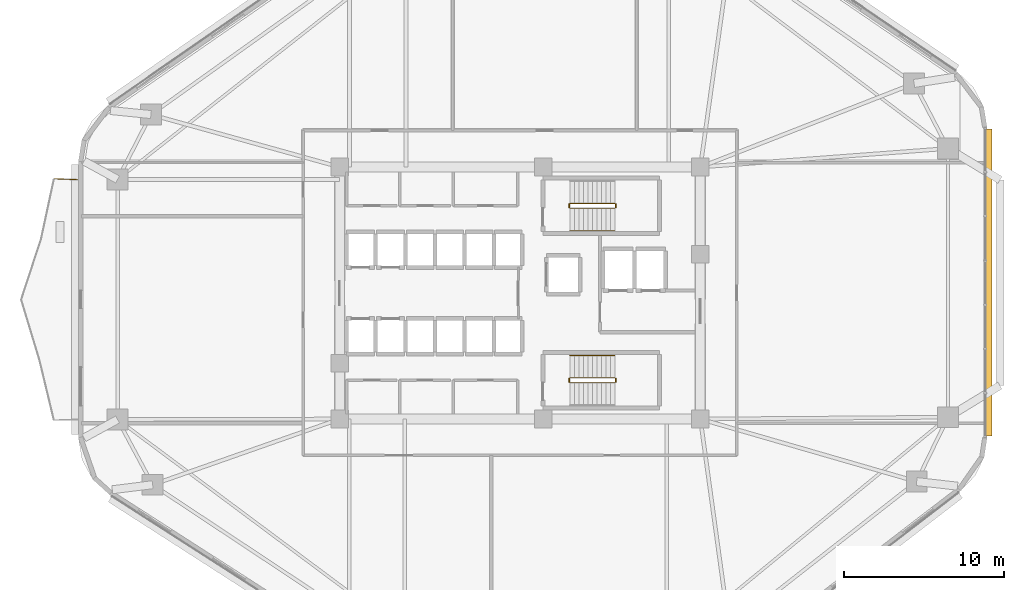
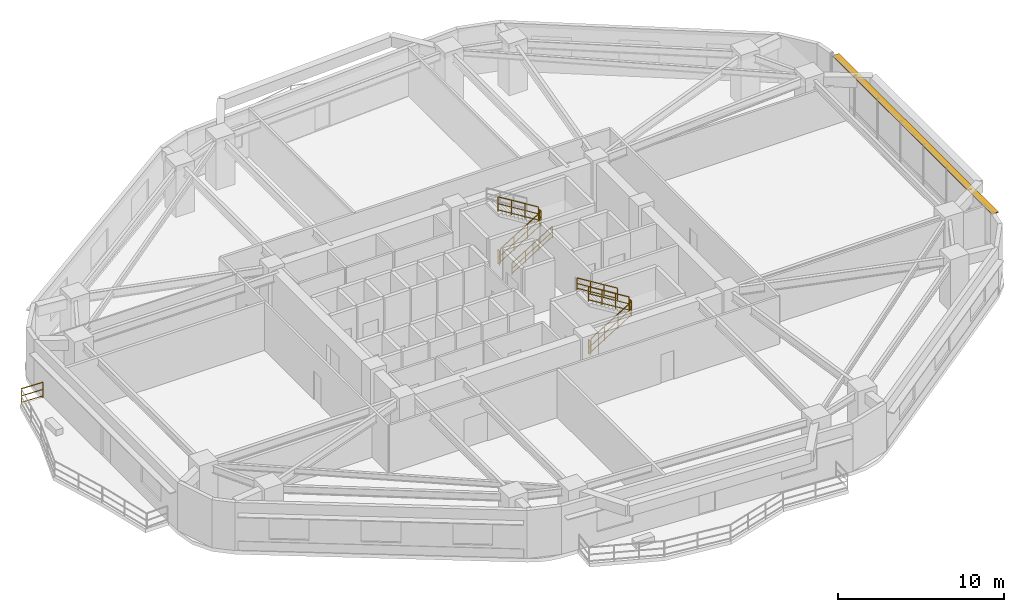
# One storey, part 13 of 14: 11 railings, 1 shading device.
"""IFC4 building model written with IfcOpenShell, lengths in metres."""

from ifc_helpers import new_model, si_unit, direction, frame, origin, origin_2d, place, context, subcontext, project, spatial, rectangle, extrude, material, layer, layer_set, type_object, element, save


model = new_model("IFC4")

# Units and contexts
model_context = context("Model", 3, precision=1e-05, world=origin(), true_north=direction((0.0, 1.0)))
body_context = subcontext(model_context, "Body", "Model", "MODEL_VIEW")
ifc_project = project(units=[si_unit("LENGTHUNIT", "METRE"), si_unit("AREAUNIT", "SQUARE_METRE"), si_unit("VOLUMEUNIT", "CUBIC_METRE"), si_unit("PLANEANGLEUNIT", "RADIAN"), si_unit("MASSUNIT", "GRAM", prefix="KILO")], contexts=[model_context])

# Site, building, storey
site_placement = place(None, origin())
site = spatial("IfcSite", under=ifc_project, at=site_placement, CompositionType="ELEMENT")
building_placement = place(site_placement, origin())
building = spatial("IfcBuilding", under=site, at=building_placement, Name="Zulverin Broadcast Headquarters", CompositionType="ELEMENT")
storey_placement = place(building_placement, frame((0.0, 0.0, 40.199951171875)))
storey = spatial("IfcBuildingStorey", under=building, at=storey_placement, Name="L09", CompositionType="ELEMENT", Elevation=40.199951171875)

# Railings
ifc_material_1 = material(Name="Brushed stainless steel & laminated glass balustrade", Category="steel")
railing_type_1 = type_object("IfcRailingType", Name="RL-GUARD-1150", PredefinedType="GUARDRAIL", material=ifc_material_1)
railing_1_placement = place(storey_placement, frame((9.360107421875, 32.284423828125, 0.0)))
element("IfcRailing", 1, at=railing_1_placement, inside=storey, type_object=railing_type_1, Name="L09 Vertical-Forest Balcony Guardrail BAL_W Segment 01", PredefinedType="GUARDRAIL", context=body_context, shape_type="SweptSolid", body=[
    extrude(rectangle(XDim=0.048095703125, YDim=0.048095703125, at=origin_2d()), frame((0.0, 0.0, 1.1259765625), z_axis=(-0.999181155166, 0.040460093435, 0.0), x_axis=(-0.040460093435, -0.999181155166, 0.0)), (0.0, 0.0, 1.0), 1.46630859375),
    extrude(rectangle(XDim=0.0419921875, YDim=0.0419921875, at=origin_2d()), frame((0.0, 0.0, 0.597900390625), z_axis=(-0.999181155166, 0.040460093435, 0.0), x_axis=(-0.040460093435, -0.999181155166, 0.0)), (0.0, 0.0, 1.0), 1.46630859375),
    extrude(rectangle(XDim=0.0419921875, YDim=0.0419921875, at=origin_2d()), frame((0.0, 0.0, 0.1201171875), z_axis=(-0.999181155166, 0.040460093435, 0.0), x_axis=(-0.040460093435, -0.999181155166, 0.0)), (0.0, 0.0, 1.0), 1.46630859375),
    extrude(rectangle(XDim=0.0419921875, YDim=0.0419921875, at=origin_2d()), origin(), (0.0, 0.0, 1.0), 1.101806640625),
    extrude(rectangle(XDim=0.0419921875, YDim=0.0419921875, at=origin_2d()), frame((-1.465087890625, 0.059326171875, 0.0)), (0.0, 0.0, 1.0), 1.101806640625),
])
ifc_material_2 = material(Name="Painted galvanized steel tubular guardrail S355JR", Category="steel")
railing_type_2 = type_object("IfcRailingType", Name="RL-ST-GUARD", PredefinedType="GUARDRAIL", material=ifc_material_2)
railing_2_placement = place(storey_placement, frame((40.1298828125, 30.5, 0.1728515625)))
element("IfcRailing", 2, at=railing_2_placement, inside=storey, type_object=railing_type_2, Name="L09 ST-1 stair guard 1", PredefinedType="GUARDRAIL", context=body_context, shape_type="SweptSolid", body=[
    extrude(rectangle(XDim=0.048095703125, YDim=0.048095703125, at=origin_2d()), frame((0.0, 0.0, 1.076171875), z_axis=(0.851089632645, 0.0, 0.525020415988), x_axis=(0.0, 1.0, 0.0)), (0.0, 0.0, 1.0), 3.2900390625),
    extrude(rectangle(XDim=0.0419921875, YDim=0.0419921875, at=origin_2d()), frame((0.0, 0.0, 0.572021484375), z_axis=(0.851089632645, 0.0, 0.525020415988), x_axis=(0.0, 1.0, 0.0)), (0.0, 0.0, 1.0), 3.2900390625),
    extrude(rectangle(XDim=0.0419921875, YDim=0.0419921875, at=origin_2d()), frame((0.0, 0.0, 0.1201171875), z_axis=(0.851089632645, 0.0, 0.525020415988), x_axis=(0.0, 1.0, 0.0)), (0.0, 0.0, 1.0), 3.2900390625),
    extrude(rectangle(XDim=0.0419921875, YDim=0.0419921875, at=origin_2d()), origin(), (0.0, 0.0, 1.0), 1.052001953125),
    extrude(rectangle(XDim=0.0419921875, YDim=0.0419921875, at=origin_2d()), frame((0.933349609375, 0.0, 0.57568359375)), (0.0, 0.0, 1.0), 1.052001953125),
    extrude(rectangle(XDim=0.0419921875, YDim=0.0419921875, at=origin_2d()), frame((1.86669921875, 0.0, 1.151611328125)), (0.0, 0.0, 1.0), 1.052001953125),
    extrude(rectangle(XDim=0.0419921875, YDim=0.0419921875, at=origin_2d()), frame((2.800048828125, 0.0, 1.727294921875)), (0.0, 0.0, 1.0), 1.052001953125),
])
railing_3_placement = place(storey_placement, frame((42.97998046875, 30.550048828125, 1.900146484375)))
element("IfcRailing", 3, at=railing_3_placement, inside=storey, type_object=railing_type_2, Name="L09 ST-1 stair guard 2", PredefinedType="GUARDRAIL", context=body_context, shape_type="SweptSolid", body=[
    extrude(rectangle(XDim=0.048095703125, YDim=0.048095703125, at=origin_2d()), frame((0.0, 0.0, 1.076171875), z_axis=(0.0, 1.0, 0.0), x_axis=(-1.0, 0.0, 0.0)), (0.0, 0.0, 1.0), 0.199951171875),
    extrude(rectangle(XDim=0.0419921875, YDim=0.0419921875, at=origin_2d()), frame((0.0, 0.0, 0.572021484375), z_axis=(0.0, 1.0, 0.0), x_axis=(-1.0, 0.0, 0.0)), (0.0, 0.0, 1.0), 0.199951171875),
    extrude(rectangle(XDim=0.0419921875, YDim=0.0419921875, at=origin_2d()), frame((0.0, 0.0, 0.1201171875), z_axis=(0.0, 1.0, 0.0), x_axis=(-1.0, 0.0, 0.0)), (0.0, 0.0, 1.0), 0.199951171875),
    extrude(rectangle(XDim=0.0419921875, YDim=0.0419921875, at=origin_2d()), origin(), (0.0, 0.0, 1.0), 1.052001953125),
    extrude(rectangle(XDim=0.0419921875, YDim=0.0419921875, at=origin_2d()), frame((0.0, 0.199951171875, 0.0)), (0.0, 0.0, 1.0), 1.052001953125),
])
railing_4_placement = place(storey_placement, frame((42.929931640625, 30.800048828125, 2.07275390625)))
element("IfcRailing", 4, at=railing_4_placement, inside=storey, type_object=railing_type_2, Name="L09 ST-1 stair guard 3", PredefinedType="GUARDRAIL", context=body_context, shape_type="SweptSolid", body=[
    extrude(rectangle(XDim=0.048095703125, YDim=0.048095703125, at=origin_2d()), frame((0.0, 0.0, 1.076171875), z_axis=(-0.851089632645, 0.0, 0.525020415988), x_axis=(0.0, -1.0, 0.0)), (0.0, 0.0, 1.0), 3.2900390625),
    extrude(rectangle(XDim=0.0419921875, YDim=0.0419921875, at=origin_2d()), frame((0.0, 0.0, 0.572021484375), z_axis=(-0.851089632645, 0.0, 0.525020415988), x_axis=(0.0, -1.0, 0.0)), (0.0, 0.0, 1.0), 3.2900390625),
    extrude(rectangle(XDim=0.0419921875, YDim=0.0419921875, at=origin_2d()), frame((0.0, 0.0, 0.1201171875), z_axis=(-0.851089632645, 0.0, 0.525020415988), x_axis=(0.0, -1.0, 0.0)), (0.0, 0.0, 1.0), 3.2900390625),
    extrude(rectangle(XDim=0.0419921875, YDim=0.0419921875, at=origin_2d()), origin(), (0.0, 0.0, 1.0), 1.052001953125),
    extrude(rectangle(XDim=0.0419921875, YDim=0.0419921875, at=origin_2d()), frame((-0.933349609375, 0.0, 0.57568359375)), (0.0, 0.0, 1.0), 1.052001953125),
    extrude(rectangle(XDim=0.0419921875, YDim=0.0419921875, at=origin_2d()), frame((-1.86669921875, 0.0, 1.151611328125)), (0.0, 0.0, 1.0), 1.052001953125),
    extrude(rectangle(XDim=0.0419921875, YDim=0.0419921875, at=origin_2d()), frame((-2.800048828125, 0.0, 1.727294921875)), (0.0, 0.0, 1.0), 1.052001953125),
])
railing_5_placement = place(storey_placement, frame((40.080078125, 30.550048828125, 0.0)))
element("IfcRailing", 5, at=railing_5_placement, inside=storey, type_object=railing_type_2, Name="L09 ST-1 stair guard 4", PredefinedType="GUARDRAIL", context=body_context, shape_type="SweptSolid", body=[
    extrude(rectangle(XDim=0.048095703125, YDim=0.048095703125, at=origin_2d()), frame((0.0, 0.0, 1.076171875), z_axis=(0.0, 1.0, 0.0), x_axis=(-1.0, 0.0, 0.0)), (0.0, 0.0, 1.0), 0.199951171875),
    extrude(rectangle(XDim=0.0419921875, YDim=0.0419921875, at=origin_2d()), frame((0.0, 0.0, 0.572021484375), z_axis=(0.0, 1.0, 0.0), x_axis=(-1.0, 0.0, 0.0)), (0.0, 0.0, 1.0), 0.199951171875),
    extrude(rectangle(XDim=0.0419921875, YDim=0.0419921875, at=origin_2d()), frame((0.0, 0.0, 0.1201171875), z_axis=(0.0, 1.0, 0.0), x_axis=(-1.0, 0.0, 0.0)), (0.0, 0.0, 1.0), 0.199951171875),
    extrude(rectangle(XDim=0.0419921875, YDim=0.0419921875, at=origin_2d()), origin(), (0.0, 0.0, 1.0), 1.052001953125),
    extrude(rectangle(XDim=0.0419921875, YDim=0.0419921875, at=origin_2d()), frame((0.0, 0.199951171875, 0.0)), (0.0, 0.0, 1.0), 1.052001953125),
])
railing_6_placement = place(storey_placement, frame((40.1298828125, 19.60009765625, 0.1728515625)))
element("IfcRailing", 6, at=railing_6_placement, inside=storey, type_object=railing_type_2, Name="L09 ST-2 stair guard 1", PredefinedType="GUARDRAIL", context=body_context, shape_type="SweptSolid", body=[
    extrude(rectangle(XDim=0.048095703125, YDim=0.048095703125, at=origin_2d()), frame((0.0, 0.0, 1.076171875), z_axis=(0.851089632645, 0.0, 0.525020415988), x_axis=(0.0, 1.0, 0.0)), (0.0, 0.0, 1.0), 3.2900390625),
    extrude(rectangle(XDim=0.0419921875, YDim=0.0419921875, at=origin_2d()), frame((0.0, 0.0, 0.572021484375), z_axis=(0.851089632645, 0.0, 0.525020415988), x_axis=(0.0, 1.0, 0.0)), (0.0, 0.0, 1.0), 3.2900390625),
    extrude(rectangle(XDim=0.0419921875, YDim=0.0419921875, at=origin_2d()), frame((0.0, 0.0, 0.1201171875), z_axis=(0.851089632645, 0.0, 0.525020415988), x_axis=(0.0, 1.0, 0.0)), (0.0, 0.0, 1.0), 3.2900390625),
    extrude(rectangle(XDim=0.0419921875, YDim=0.0419921875, at=origin_2d()), origin(), (0.0, 0.0, 1.0), 1.052001953125),
    extrude(rectangle(XDim=0.0419921875, YDim=0.0419921875, at=origin_2d()), frame((0.933349609375, 0.0, 0.57568359375)), (0.0, 0.0, 1.0), 1.052001953125),
    extrude(rectangle(XDim=0.0419921875, YDim=0.0419921875, at=origin_2d()), frame((1.86669921875, 0.0, 1.151611328125)), (0.0, 0.0, 1.0), 1.052001953125),
    extrude(rectangle(XDim=0.0419921875, YDim=0.0419921875, at=origin_2d()), frame((2.800048828125, 0.0, 1.727294921875)), (0.0, 0.0, 1.0), 1.052001953125),
])
railing_7_placement = place(storey_placement, frame((42.97998046875, 19.64990234375, 1.900146484375)))
element("IfcRailing", 7, at=railing_7_placement, inside=storey, type_object=railing_type_2, Name="L09 ST-2 stair guard 2", PredefinedType="GUARDRAIL", context=body_context, shape_type="SweptSolid", body=[
    extrude(rectangle(XDim=0.048095703125, YDim=0.048095703125, at=origin_2d()), frame((0.0, 0.0, 1.076171875), z_axis=(0.0, 1.0, 0.0), x_axis=(-1.0, 0.0, 0.0)), (0.0, 0.0, 1.0), 0.2001953125),
    extrude(rectangle(XDim=0.0419921875, YDim=0.0419921875, at=origin_2d()), frame((0.0, 0.0, 0.572021484375), z_axis=(0.0, 1.0, 0.0), x_axis=(-1.0, 0.0, 0.0)), (0.0, 0.0, 1.0), 0.2001953125),
    extrude(rectangle(XDim=0.0419921875, YDim=0.0419921875, at=origin_2d()), frame((0.0, 0.0, 0.1201171875), z_axis=(0.0, 1.0, 0.0), x_axis=(-1.0, 0.0, 0.0)), (0.0, 0.0, 1.0), 0.2001953125),
    extrude(rectangle(XDim=0.0419921875, YDim=0.0419921875, at=origin_2d()), origin(), (0.0, 0.0, 1.0), 1.052001953125),
    extrude(rectangle(XDim=0.0419921875, YDim=0.0419921875, at=origin_2d()), frame((0.0, 0.2001953125, 0.0)), (0.0, 0.0, 1.0), 1.052001953125),
])
railing_8_placement = place(storey_placement, frame((42.929931640625, 19.89990234375, 2.07275390625)))
element("IfcRailing", 8, at=railing_8_placement, inside=storey, type_object=railing_type_2, Name="L09 ST-2 stair guard 3", PredefinedType="GUARDRAIL", context=body_context, shape_type="SweptSolid", body=[
    extrude(rectangle(XDim=0.048095703125, YDim=0.048095703125, at=origin_2d()), frame((0.0, 0.0, 1.076171875), z_axis=(-0.851089632645, 0.0, 0.525020415988), x_axis=(0.0, -1.0, 0.0)), (0.0, 0.0, 1.0), 3.2900390625),
    extrude(rectangle(XDim=0.0419921875, YDim=0.0419921875, at=origin_2d()), frame((0.0, 0.0, 0.572021484375), z_axis=(-0.851089632645, 0.0, 0.525020415988), x_axis=(0.0, -1.0, 0.0)), (0.0, 0.0, 1.0), 3.2900390625),
    extrude(rectangle(XDim=0.0419921875, YDim=0.0419921875, at=origin_2d()), frame((0.0, 0.0, 0.1201171875), z_axis=(-0.851089632645, 0.0, 0.525020415988), x_axis=(0.0, -1.0, 0.0)), (0.0, 0.0, 1.0), 3.2900390625),
    extrude(rectangle(XDim=0.0419921875, YDim=0.0419921875, at=origin_2d()), origin(), (0.0, 0.0, 1.0), 1.052001953125),
    extrude(rectangle(XDim=0.0419921875, YDim=0.0419921875, at=origin_2d()), frame((-0.933349609375, 0.0, 0.57568359375)), (0.0, 0.0, 1.0), 1.052001953125),
    extrude(rectangle(XDim=0.0419921875, YDim=0.0419921875, at=origin_2d()), frame((-1.86669921875, 0.0, 1.151611328125)), (0.0, 0.0, 1.0), 1.052001953125),
    extrude(rectangle(XDim=0.0419921875, YDim=0.0419921875, at=origin_2d()), frame((-2.800048828125, 0.0, 1.727294921875)), (0.0, 0.0, 1.0), 1.052001953125),
])
railing_9_placement = place(storey_placement, frame((40.080078125, 19.64990234375, 0.0)))
element("IfcRailing", 9, at=railing_9_placement, inside=storey, type_object=railing_type_2, Name="L09 ST-2 stair guard 4", PredefinedType="GUARDRAIL", context=body_context, shape_type="SweptSolid", body=[
    extrude(rectangle(XDim=0.048095703125, YDim=0.048095703125, at=origin_2d()), frame((0.0, 0.0, 1.076171875), z_axis=(0.0, 1.0, 0.0), x_axis=(-1.0, 0.0, 0.0)), (0.0, 0.0, 1.0), 0.2001953125),
    extrude(rectangle(XDim=0.0419921875, YDim=0.0419921875, at=origin_2d()), frame((0.0, 0.0, 0.572021484375), z_axis=(0.0, 1.0, 0.0), x_axis=(-1.0, 0.0, 0.0)), (0.0, 0.0, 1.0), 0.2001953125),
    extrude(rectangle(XDim=0.0419921875, YDim=0.0419921875, at=origin_2d()), frame((0.0, 0.0, 0.1201171875), z_axis=(0.0, 1.0, 0.0), x_axis=(-1.0, 0.0, 0.0)), (0.0, 0.0, 1.0), 0.2001953125),
    extrude(rectangle(XDim=0.0419921875, YDim=0.0419921875, at=origin_2d()), origin(), (0.0, 0.0, 1.0), 1.052001953125),
    extrude(rectangle(XDim=0.0419921875, YDim=0.0419921875, at=origin_2d()), frame((0.0, 0.2001953125, 0.0)), (0.0, 0.0, 1.0), 1.052001953125),
])
ifc_material_3 = material(Name="Brushed stainless steel 48 mm handrail", Category="steel")
railing_type_3 = type_object("IfcRailingType", Name="RL-ST-HAND", PredefinedType="HANDRAIL", material=ifc_material_3)
railing_10_placement = place(storey_placement, frame((40.1298828125, 29.10009765625, 0.1728515625)))
element("IfcRailing", 10, at=railing_10_placement, inside=storey, type_object=railing_type_3, Name="L09 ST-1 stair handrail 1", PredefinedType="HANDRAIL", context=body_context, shape_type="SweptSolid", body=[
    extrude(rectangle(XDim=0.048095703125, YDim=0.048095703125, at=origin_2d()), frame((0.0, 0.0, 0.8759765625), z_axis=(0.851089632645, 0.0, 0.525020415988), x_axis=(0.0, 1.0, 0.0)), (0.0, 0.0, 1.0), 3.2900390625),
    extrude(rectangle(XDim=0.0419921875, YDim=0.0419921875, at=origin_2d()), frame((0.0, 0.0, 0.468017578125), z_axis=(0.851089632645, 0.0, 0.525020415988), x_axis=(0.0, 1.0, 0.0)), (0.0, 0.0, 1.0), 3.2900390625),
    extrude(rectangle(XDim=0.0419921875, YDim=0.0419921875, at=origin_2d()), frame((0.0, 0.0, 0.1201171875), z_axis=(0.851089632645, 0.0, 0.525020415988), x_axis=(0.0, 1.0, 0.0)), (0.0, 0.0, 1.0), 3.2900390625),
    extrude(rectangle(XDim=0.0419921875, YDim=0.0419921875, at=origin_2d()), origin(), (0.0, 0.0, 1.0), 0.851806640625),
    extrude(rectangle(XDim=0.0419921875, YDim=0.0419921875, at=origin_2d()), frame((0.933349609375, 0.0, 0.57568359375)), (0.0, 0.0, 1.0), 0.851806640625),
    extrude(rectangle(XDim=0.0419921875, YDim=0.0419921875, at=origin_2d()), frame((1.86669921875, 0.0, 1.151611328125)), (0.0, 0.0, 1.0), 0.851806640625),
    extrude(rectangle(XDim=0.0419921875, YDim=0.0419921875, at=origin_2d()), frame((2.800048828125, 0.0, 1.727294921875)), (0.0, 0.0, 1.0), 0.851806640625),
])
railing_11_placement = place(storey_placement, frame((42.929931640625, 21.300048828125, 2.07275390625)))
element("IfcRailing", 11, at=railing_11_placement, inside=storey, type_object=railing_type_3, Name="L09 ST-2 stair handrail 2", PredefinedType="HANDRAIL", context=body_context, shape_type="SweptSolid", body=[
    extrude(rectangle(XDim=0.048095703125, YDim=0.048095703125, at=origin_2d()), frame((0.0, 0.0, 0.8759765625), z_axis=(-0.851089632645, 0.0, 0.525020415988), x_axis=(0.0, -1.0, 0.0)), (0.0, 0.0, 1.0), 3.2900390625),
    extrude(rectangle(XDim=0.0419921875, YDim=0.0419921875, at=origin_2d()), frame((0.0, 0.0, 0.468017578125), z_axis=(-0.851089632645, 0.0, 0.525020415988), x_axis=(0.0, -1.0, 0.0)), (0.0, 0.0, 1.0), 3.2900390625),
    extrude(rectangle(XDim=0.0419921875, YDim=0.0419921875, at=origin_2d()), frame((0.0, 0.0, 0.1201171875), z_axis=(-0.851089632645, 0.0, 0.525020415988), x_axis=(0.0, -1.0, 0.0)), (0.0, 0.0, 1.0), 3.2900390625),
    extrude(rectangle(XDim=0.0419921875, YDim=0.0419921875, at=origin_2d()), origin(), (0.0, 0.0, 1.0), 0.851806640625),
    extrude(rectangle(XDim=0.0419921875, YDim=0.0419921875, at=origin_2d()), frame((-0.933349609375, 0.0, 0.57568359375)), (0.0, 0.0, 1.0), 0.851806640625),
    extrude(rectangle(XDim=0.0419921875, YDim=0.0419921875, at=origin_2d()), frame((-1.86669921875, 0.0, 1.151611328125)), (0.0, 0.0, 1.0), 0.851806640625),
    extrude(rectangle(XDim=0.0419921875, YDim=0.0419921875, at=origin_2d()), frame((-2.800048828125, 0.0, 1.727294921875)), (0.0, 0.0, 1.0), 0.851806640625),
])

# Shading device
ifc_material_4 = material(Name="Anodized pale-metal aluminium sunshade", Category="aluminium")
ifc_layer = layer(ifc_material_4, 0.06005859375, Name="Anodized pale-metal aluminium sunshade", Category="aluminium")
ifc_layer_set = layer_set([ifc_layer], Name="Anodized pale-metal aluminium sunshade")
shading_device_type = type_object("IfcShadingDeviceType", Name="SS-01_PALE_METAL_ALUMINIUM_SUNSHADE", PredefinedType="USERDEFINED", material=ifc_layer_set)
shading_device_placement = place(storey_placement, frame((66.280029296875, 25.848876953125, 3.294921875), z_axis=(0.0, 0.0, 1.0), x_axis=(0.0, 1.0, 0.0)))
element("IfcShadingDevice", 12, at=shading_device_placement, inside=storey, type_object=shading_device_type, Name="L09 Pale-Metal Horizontal Sunshade Band CW-L09-E3", ObjectType="SUNSHADE", PredefinedType="USERDEFINED", context=body_context, shape_type="SweptSolid", body=[
    extrude(rectangle(XDim=19.191162109375, YDim=0.449951171875, at=origin_2d()), origin(), (0.0, 0.0, 1.0), 0.06005859375),
])

save(model, "model.ifc")
